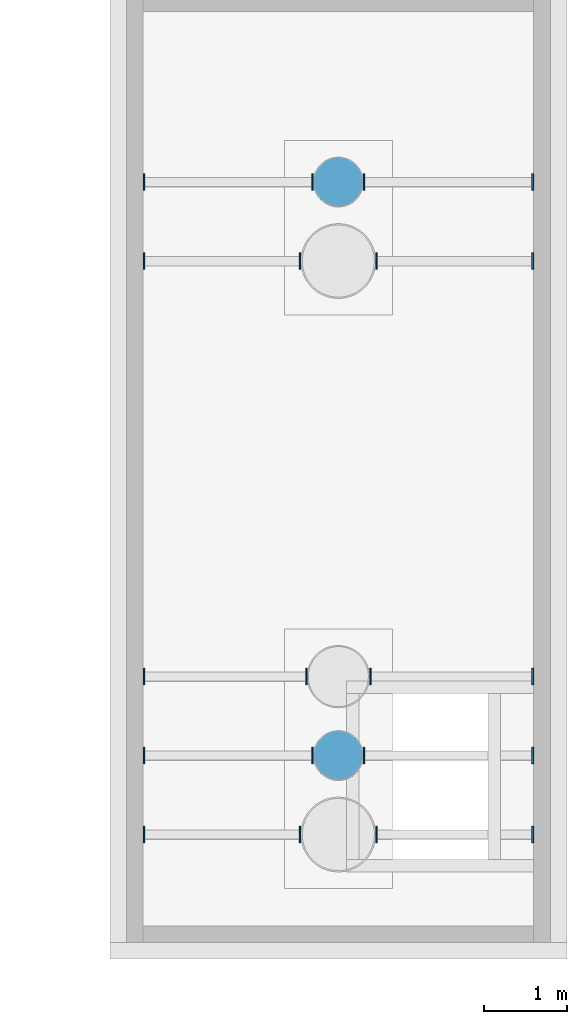
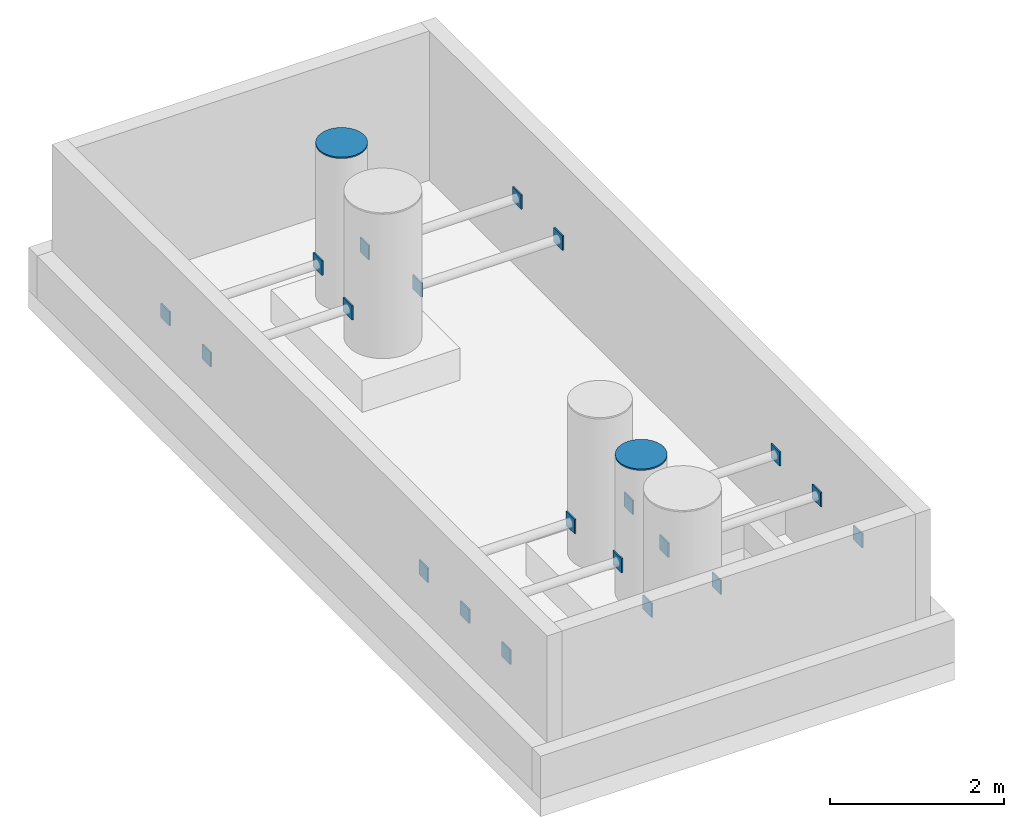
# One storey, part 21 of 22: 22 discrete accessories.
"""IFC4 building model written with IfcOpenShell, lengths in metres."""

from ifc_helpers import new_model, si_unit, direction, frame, origin, origin_2d, place, context, subcontext, project, spatial, polyline, rectangle, outline, extrude, material, type_object, element, save


model = new_model("IFC4")

# Units and contexts
model_context = context("Model", 3, precision=1e-05, world=origin(), true_north=direction((0.0, 1.0)))
body_context = subcontext(model_context, "Body", "Model", "MODEL_VIEW")
ifc_project = project(units=[si_unit("LENGTHUNIT", "METRE"), si_unit("AREAUNIT", "SQUARE_METRE"), si_unit("VOLUMEUNIT", "CUBIC_METRE"), si_unit("PLANEANGLEUNIT", "RADIAN"), si_unit("MASSUNIT", "GRAM", prefix="KILO")], contexts=[model_context])

# Site, building, storey
site_placement = place(None, origin())
site = spatial("IfcSite", under=ifc_project, at=site_placement, CompositionType="ELEMENT")
building_placement = place(site_placement, origin())
building = spatial("IfcBuilding", under=site, at=building_placement, Name="Basin Gate Institute", CompositionType="ELEMENT")
storey_placement = place(building_placement, frame((0.0, 0.0, 51.0)))
storey = spatial("IfcBuildingStorey", under=building, at=storey_placement, Name="L10", CompositionType="ELEMENT", Elevation=51.0)

# Discrete accessories
ifc_material_1 = material(Name="Structural steel SN490", Category="steel")
discrete_accessory_type_1 = type_object("IfcDiscreteAccessoryType", Name="Brace end plate BP200", PredefinedType="BRACKET", material=ifc_material_1)
for number, where, z_axis, x_axis, name in (
    (1, (116.090087890625, 90.10009765625, 1.14990234375), (0.0, 0.0, 1.0), (1.0, 0.0, 0.0), "Exhaust pipe tie TD5 EN 1a end plate 1"),
    (2, (114.2099609375, 90.10009765625, 1.14990234375), (0.0, 0.0, 1.0), (1.0, 0.0, 0.0), "Exhaust pipe tie TD5 EN 1a end plate 2"),
    (3, (117.010009765625, 90.10009765625, 1.14990234375), (0.0, 0.0, 1.0), (1.0, 0.0, 0.0), "Exhaust pipe tie TD5 EN 1b end plate 1"),
    (4, (118.889892578125, 90.10009765625, 1.14990234375), (0.0, 0.0, 1.0), (1.0, 0.0, 0.0), "Exhaust pipe tie TD5 EN 1b end plate 2"),
    (5, (116.239990234375, 91.050048828125, 1.14990234375), (0.0, 0.0, 1.0), (1.0, 0.0, 0.0), "Exhaust pipe tie TD5 EN 2a end plate 1"),
    (6, (114.2099609375, 91.050048828125, 1.14990234375), (0.0, 0.0, 1.0), (1.0, 0.0, 0.0), "Exhaust pipe tie TD5 EN 2a end plate 2"),
    (7, (116.860107421875, 91.050048828125, 1.14990234375), (0.0, 0.0, 1.0), (1.0, 0.0, 0.0), "Exhaust pipe tie TD5 EN 2b end plate 1"),
    (8, (118.889892578125, 91.050048828125, 1.14990234375), (0.0, 0.0, 1.0), (1.0, 0.0, 0.0), "Exhaust pipe tie TD5 EN 2b end plate 2"),
    (9, (116.1650390625, 92.0, 1.14990234375), (0.0, 0.0, 1.0), (1.0, 0.0, 0.0), "Exhaust pipe tie TD5 EN 3a end plate 1"),
    (10, (114.2099609375, 92.0, 1.14990234375), (0.0, 0.0, 1.0), (1.0, 0.0, 0.0), "Exhaust pipe tie TD5 EN 3a end plate 2"),
    (11, (116.93505859375, 92.0, 1.14990234375), (0.0, 0.0, 1.0), (1.0, 0.0, 0.0), "Exhaust pipe tie TD5 EN 3b end plate 1"),
    (12, (118.889892578125, 92.0, 1.14990234375), (0.0, 0.0, 1.0), (1.0, 0.0, 0.0), "Exhaust pipe tie TD5 EN 3b end plate 2"),
    (13, (116.090087890625, 97.0, 1.14990234375), (0.0, 0.0, 1.0), (1.0, 0.0, 0.0), "Exhaust pipe tie TD5 EN 4a end plate 1"),
    (14, (114.2099609375, 97.0, 1.14990234375), (0.0, 0.0, 1.0), (1.0, 0.0, 0.0), "Exhaust pipe tie TD5 EN 4a end plate 2"),
    (15, (117.010009765625, 97.0, 1.14990234375), (0.0, 0.0, 1.0), (1.0, 0.0, 0.0), "Exhaust pipe tie TD5 EN 4b end plate 1"),
    (16, (118.889892578125, 97.0, 1.14990234375), (0.0, 0.0, 1.0), (1.0, 0.0, 0.0), "Exhaust pipe tie TD5 EN 4b end plate 2"),
    (17, (116.239990234375, 97.949951171875, 1.14990234375), (0.0, 0.0, 1.0), (1.0, 0.0, 0.0), "Exhaust pipe tie TD5 EN 5a end plate 1"),
    (18, (114.2099609375, 97.949951171875, 1.14990234375), (0.0, 0.0, 1.0), (1.0, 0.0, 0.0), "Exhaust pipe tie TD5 EN 5a end plate 2"),
    (19, (116.860107421875, 97.949951171875, 1.14990234375), (0.0, 0.0, 1.0), (1.0, 0.0, 0.0), "Exhaust pipe tie TD5 EN 5b end plate 1"),
    (20, (118.889892578125, 97.949951171875, 1.14990234375), (0.0, 0.0, 1.0), (1.0, 0.0, 0.0), "Exhaust pipe tie TD5 EN 5b end plate 2"),
):
    element("IfcDiscreteAccessory", number, at=place(storey_placement, frame(where, z_axis=z_axis, x_axis=x_axis)), inside=storey, type_object=discrete_accessory_type_1, material=ifc_material_1, Name=name, PredefinedType="BRACKET", context=body_context, shape_type="SweptSolid", body=[
        extrude(rectangle(XDim=0.02001953125, YDim=0.199951171875, at=origin_2d()), origin(), (0.0, 0.0, 1.0), 0.199951171875),
    ])
ifc_material_2 = material(Name="Structural steel SN490", Category="steel")
discrete_accessory_type_2 = type_object("IfcDiscreteAccessoryType", Name="Exhaust pipe cap plate PC600", PredefinedType="BRACKET", material=ifc_material_2)
discrete_accessory_1_placement = place(storey_placement, frame((0.0, 0.0, 2.6298828125)))
element("IfcDiscreteAccessory", 21, at=discrete_accessory_1_placement, inside=storey, type_object=discrete_accessory_type_2, material=ifc_material_2, Name="Exhaust pipe EX1 EN 2 cap plate", PredefinedType="BRACKET", context=body_context, shape_type="SweptSolid", body=[
    extrude(outline(polyline([(116.85009765625, 91.050048828125), (116.84423828125, 91.1083984375), (116.8271484375, 91.164794921875), (116.79931640625, 91.216796875), (116.76220703125, 91.26220703125), (116.716796875, 91.29931640625), (116.664794921875, 91.3271484375), (116.6083984375, 91.34423828125), (116.550048828125, 91.35009765625), (116.491455078125, 91.34423828125), (116.435302734375, 91.3271484375), (116.38330078125, 91.29931640625), (116.337890625, 91.26220703125), (116.300537109375, 91.216796875), (116.272705078125, 91.164794921875), (116.255859375, 91.1083984375), (116.25, 91.050048828125), (116.255859375, 90.991455078125), (116.272705078125, 90.935302734375), (116.300537109375, 90.88330078125), (116.337890625, 90.837890625), (116.38330078125, 90.800537109375), (116.435302734375, 90.772705078125), (116.491455078125, 90.755859375), (116.550048828125, 90.75), (116.6083984375, 90.755859375), (116.664794921875, 90.772705078125), (116.716796875, 90.800537109375), (116.76220703125, 90.837890625), (116.79931640625, 90.88330078125), (116.8271484375, 90.935302734375), (116.84423828125, 90.991455078125), (116.85009765625, 91.050048828125)])), origin(), (0.0, 0.0, 1.0), 0.02001953125),
])
discrete_accessory_2_placement = place(storey_placement, frame((0.0, 0.0, 2.830078125)))
element("IfcDiscreteAccessory", 22, at=discrete_accessory_2_placement, inside=storey, type_object=discrete_accessory_type_2, material=ifc_material_2, Name="Exhaust pipe EX1 EN 5 cap plate", PredefinedType="BRACKET", context=body_context, shape_type="SweptSolid", body=[
    extrude(outline(polyline([(116.85009765625, 97.949951171875), (116.84423828125, 98.008544921875), (116.8271484375, 98.064697265625), (116.79931640625, 98.11669921875), (116.76220703125, 98.162109375), (116.716796875, 98.199462890625), (116.664794921875, 98.227294921875), (116.6083984375, 98.244140625), (116.550048828125, 98.25), (116.491455078125, 98.244140625), (116.435302734375, 98.227294921875), (116.38330078125, 98.199462890625), (116.337890625, 98.162109375), (116.300537109375, 98.11669921875), (116.272705078125, 98.064697265625), (116.255859375, 98.008544921875), (116.25, 97.949951171875), (116.255859375, 97.8916015625), (116.272705078125, 97.835205078125), (116.300537109375, 97.783203125), (116.337890625, 97.73779296875), (116.38330078125, 97.70068359375), (116.435302734375, 97.6728515625), (116.491455078125, 97.65576171875), (116.550048828125, 97.64990234375), (116.6083984375, 97.65576171875), (116.664794921875, 97.6728515625), (116.716796875, 97.70068359375), (116.76220703125, 97.73779296875), (116.79931640625, 97.783203125), (116.8271484375, 97.835205078125), (116.84423828125, 97.8916015625), (116.85009765625, 97.949951171875)])), origin(), (0.0, 0.0, 1.0), 0.02001953125),
])

save(model, "model.ifc")
